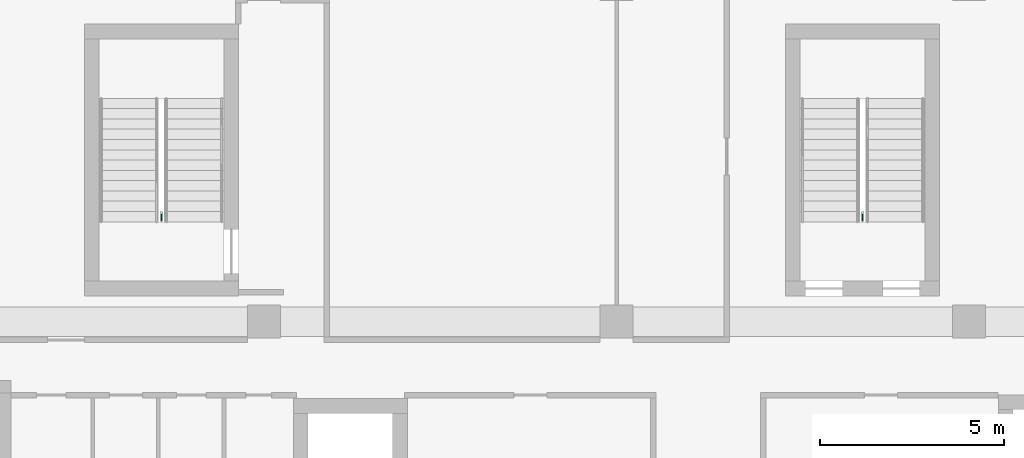
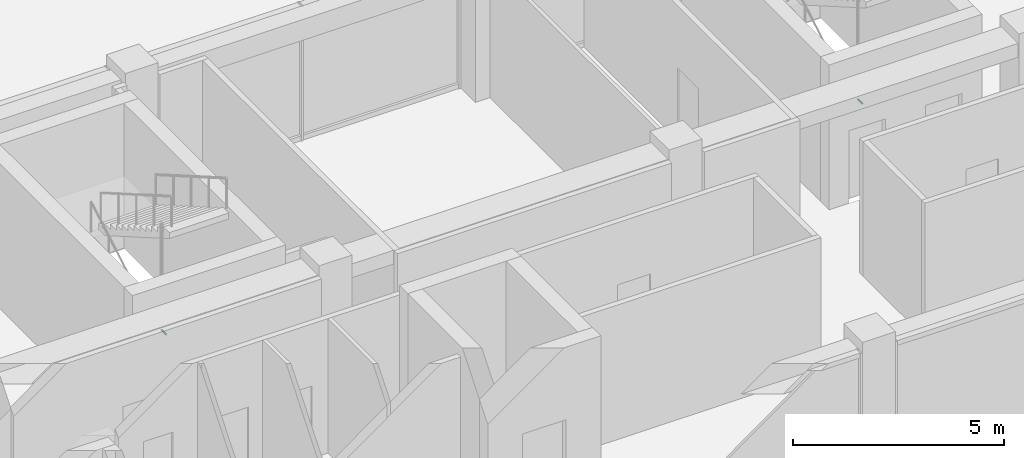
# One storey, part 72 of 72: 2 pipe fittings.
"""IFC4 building model written with IfcOpenShell, lengths in metres."""

from ifc_helpers import new_model, si_unit, direction, frame, origin, origin_2d, place, context, subcontext, project, spatial, circle, extrude, element, save


model = new_model("IFC4")

# Units and contexts
model_context = context("Model", 3, precision=1e-05, world=origin(), true_north=direction((0.0, 1.0)))
body_context = subcontext(model_context, "Body", "Model", "MODEL_VIEW")
ifc_project = project(units=[si_unit("LENGTHUNIT", "METRE"), si_unit("AREAUNIT", "SQUARE_METRE"), si_unit("VOLUMEUNIT", "CUBIC_METRE"), si_unit("PLANEANGLEUNIT", "RADIAN"), si_unit("MASSUNIT", "GRAM", prefix="KILO")], contexts=[model_context])

# Site, building, storey
site_placement = place(None, origin())
site = spatial("IfcSite", under=ifc_project, at=site_placement, CompositionType="ELEMENT")
building_placement = place(site_placement, origin())
building = spatial("IfcBuilding", under=site, at=building_placement, Name="Nzadi Deep Aquarium and Research Tower", CompositionType="ELEMENT")
storey_placement = place(building_placement, frame((0.0, 0.0, 31.89990234375)))
storey = spatial("IfcBuildingStorey", under=building, at=storey_placement, Name="L05", CompositionType="ELEMENT", Elevation=31.89990234375)

# Pipe fittings
for number, where, z_axis, x_axis, name in (
    (1, (6.800048828125, 39.77001953125, 1.10009765625), (0.0, -1.0, 0.0), (1.0, 0.0, 0.0), "Dry riser outlet ST-Z1-NW L05"),
    (2, (25.89990234375, 39.77001953125, 1.10009765625), (0.0, -1.0, 0.0), (1.0, 0.0, 0.0), "Dry riser outlet ST-Z1-NE L05"),
):
    element("IfcPipeFitting", number, at=place(storey_placement, frame(where, z_axis=z_axis, x_axis=x_axis)), inside=storey, Name=name, PredefinedType="EXIT", context=body_context, shape_type="SweptSolid", body=[
        extrude(circle(Radius=0.0224609375, at=origin_2d()), origin(), (0.0, 0.0, 1.0), 0.22998046875),
    ])

save(model, "model.ifc")
